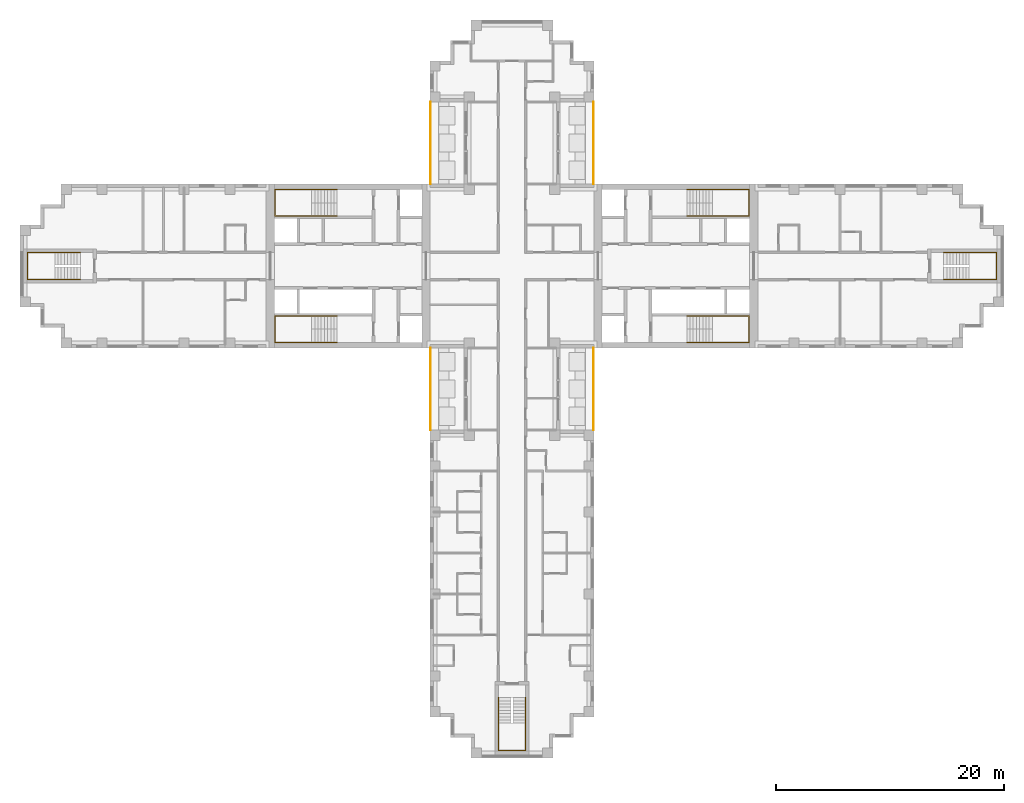
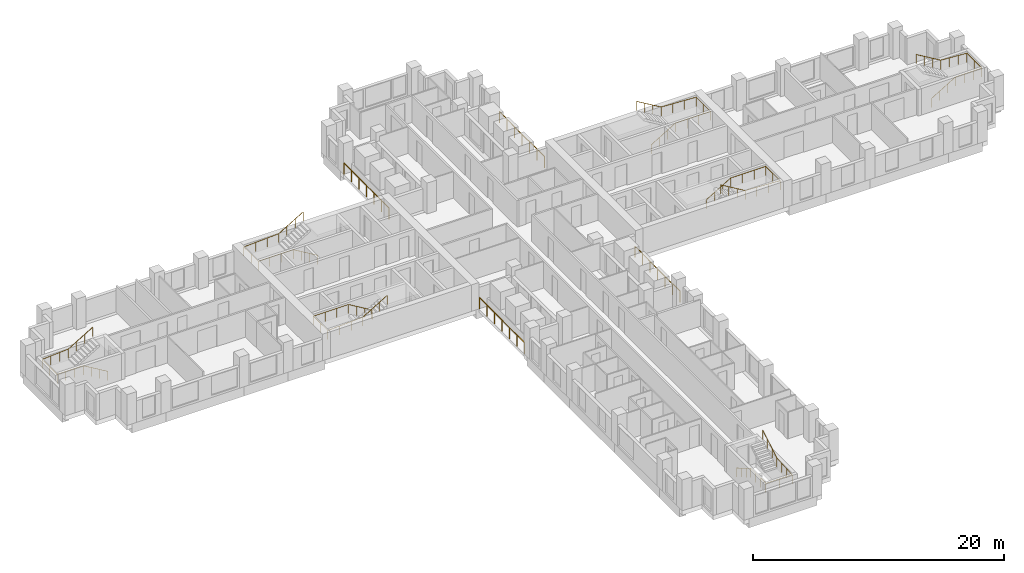
# One storey, part 12 of 13: 11 railings.
"""IFC4 building model written with IfcOpenShell, lengths in metres."""

from ifc_helpers import new_model, si_unit, direction, frame, origin, origin_2d, place, context, subcontext, project, spatial, circle, extrude, material, type_object, element, save


model = new_model("IFC4")

# Units and contexts
model_context = context("Model", 3, precision=1e-05, world=origin(), true_north=direction((0.0, 1.0)))
body_context = subcontext(model_context, "Body", "Model", "MODEL_VIEW")
ifc_project = project(units=[si_unit("LENGTHUNIT", "METRE"), si_unit("AREAUNIT", "SQUARE_METRE"), si_unit("VOLUMEUNIT", "CUBIC_METRE"), si_unit("PLANEANGLEUNIT", "RADIAN"), si_unit("MASSUNIT", "GRAM", prefix="KILO")], contexts=[model_context])

# Site, building, storey
site_placement = place(None, origin())
site = spatial("IfcSite", under=ifc_project, at=site_placement, CompositionType="ELEMENT")
building_placement = place(site_placement, origin())
building = spatial("IfcBuilding", under=site, at=building_placement, Name="Fustian Cross Tower", CompositionType="ELEMENT")
storey_placement = place(building_placement, frame((0.0, 0.0, 87.89990234375)))
storey = spatial("IfcBuildingStorey", under=building, at=storey_placement, Name="L27", CompositionType="ELEMENT", Elevation=87.89990234375)

# Railings
ifc_material_1 = material(Name="Stainless steel and glass", Category="steel")
railing_type_1 = type_object("IfcRailingType", Name="GR1 BALCONY GUARD 1100", PredefinedType="GUARDRAIL", material=ifc_material_1)
for number, where, name in (
    (1, (7.14990234375, 7.199951171875, 0.0), "Balcony guard"),
    (2, (-7.14990234375, 7.199951171875, 0.0), "Balcony guard"),
    (3, (7.14990234375, -14.39990234375, 0.0), "Balcony guard"),
    (4, (-7.14990234375, -14.39990234375, 0.0), "Balcony guard"),
):
    element("IfcRailing", number, at=place(storey_placement, frame(where)), inside=storey, type_object=railing_type_1, Name=name, PredefinedType="GUARDRAIL", context=body_context, shape_type="SweptSolid", body=[
        extrude(circle(Radius=0.02392578125, at=origin_2d()), frame((0.0, 0.0, 1.076171875), z_axis=(0.0, 1.0, 0.0), x_axis=(-1.0, 0.0, 0.0)), (0.0, 0.0, 1.0), 7.199951171875),
        extrude(circle(Radius=0.02099609375, at=origin_2d()), origin(), (0.0, 0.0, 1.0), 1.052001953125),
        extrude(circle(Radius=0.02099609375, at=origin_2d()), frame((0.0, 1.199951171875, 0.0)), (0.0, 0.0, 1.0), 1.052001953125),
        extrude(circle(Radius=0.02099609375, at=origin_2d()), frame((0.0, 2.39990234375, 0.0)), (0.0, 0.0, 1.0), 1.052001953125),
        extrude(circle(Radius=0.02099609375, at=origin_2d()), frame((0.0, 3.60009765625, 0.0)), (0.0, 0.0, 1.0), 1.052001953125),
        extrude(circle(Radius=0.02099609375, at=origin_2d()), frame((0.0, 4.800048828125, 0.0)), (0.0, 0.0, 1.0), 1.052001953125),
        extrude(circle(Radius=0.02099609375, at=origin_2d()), frame((0.0, 6.0, 0.0)), (0.0, 0.0, 1.0), 1.052001953125),
        extrude(circle(Radius=0.02099609375, at=origin_2d()), frame((0.0, 7.199951171875, 0.0)), (0.0, 0.0, 1.0), 1.052001953125),
    ])
ifc_material_2 = material(Name="Stainless steel", Category="steel")
railing_type_2 = type_object("IfcRailingType", Name="STAIR HANDRAIL", PredefinedType="HANDRAIL", material=ifc_material_2)
railing_1_placement = place(storey_placement, frame((15.35009765625, 4.39990234375, 0.166748046875)))
element("IfcRailing", 5, at=railing_1_placement, inside=storey, type_object=railing_type_2, Name="Stair ST1 handrail 1", PredefinedType="HANDRAIL", context=body_context, shape_type="SweptSolid", body=[
    extrude(circle(Radius=0.02490234375, at=origin_2d()), frame((0.0, 0.0, 0.875), z_axis=(0.859305625298, 0.0, 0.511462454469), x_axis=(0.0, 1.0, 0.0)), (0.0, 0.0, 1.0), 2.606689453125),
    extrude(circle(Radius=0.02490234375, at=origin_2d()), frame((2.239990234375, 0.0, 2.2080078125), z_axis=(1.0, 0.0, 0.0), x_axis=(0.0, 1.0, 0.0)), (0.0, 0.0, 1.0), 3.219970703125),
    extrude(circle(Radius=0.02490234375, at=origin_2d()), frame((5.4599609375, 0.0, 2.2080078125), z_axis=(0.0, 1.0, 0.0), x_axis=(-1.0, 0.0, 0.0)), (0.0, 0.0, 1.0), 2.300048828125),
    extrude(circle(Radius=0.02490234375, at=origin_2d()), frame((5.4599609375, 2.300048828125, 2.2080078125), z_axis=(-0.998661817807, 0.0, 0.051716280352), x_axis=(0.0, -1.0, 0.0)), (0.0, 0.0, 1.0), 3.224365234375),
    extrude(circle(Radius=0.02490234375, at=origin_2d()), frame((2.239990234375, 2.300048828125, 2.375), z_axis=(-0.859305625298, 0.0, 0.511462454469), x_axis=(0.0, -1.0, 0.0)), (0.0, 0.0, 1.0), 2.606689453125),
    extrude(circle(Radius=0.02001953125, at=origin_2d()), origin(), (0.0, 0.0, 1.0), 0.849853515625),
    extrude(circle(Radius=0.02001953125, at=origin_2d()), frame((0.74658203125, 0.0, 0.4443359375)), (0.0, 0.0, 1.0), 0.849853515625),
    extrude(circle(Radius=0.02001953125, at=origin_2d()), frame((1.493408203125, 0.0, 0.888916015625)), (0.0, 0.0, 1.0), 0.849853515625),
    extrude(circle(Radius=0.02001953125, at=origin_2d()), frame((2.239990234375, 0.0, 1.333251953125)), (0.0, 0.0, 1.0), 0.849853515625),
    extrude(circle(Radius=0.02001953125, at=origin_2d()), frame((3.313232421875, 0.0, 1.333251953125)), (0.0, 0.0, 1.0), 0.849853515625),
    extrude(circle(Radius=0.02001953125, at=origin_2d()), frame((4.38671875, 0.0, 1.333251953125)), (0.0, 0.0, 1.0), 0.849853515625),
    extrude(circle(Radius=0.02001953125, at=origin_2d()), frame((5.4599609375, 0.0, 1.333251953125)), (0.0, 0.0, 1.0), 0.849853515625),
    extrude(circle(Radius=0.02001953125, at=origin_2d()), frame((5.4599609375, 1.14990234375, 1.333251953125)), (0.0, 0.0, 1.0), 0.849853515625),
    extrude(circle(Radius=0.02001953125, at=origin_2d()), frame((5.4599609375, 2.300048828125, 1.333251953125)), (0.0, 0.0, 1.0), 0.849853515625),
    extrude(circle(Radius=0.02001953125, at=origin_2d()), frame((4.38671875, 2.300048828125, 1.388916015625)), (0.0, 0.0, 1.0), 0.849853515625),
    extrude(circle(Radius=0.02001953125, at=origin_2d()), frame((3.313232421875, 2.300048828125, 1.4443359375)), (0.0, 0.0, 1.0), 0.849853515625),
    extrude(circle(Radius=0.02001953125, at=origin_2d()), frame((2.239990234375, 2.300048828125, 1.5)), (0.0, 0.0, 1.0), 0.849853515625),
    extrude(circle(Radius=0.02001953125, at=origin_2d()), frame((1.493408203125, 2.300048828125, 1.9443359375)), (0.0, 0.0, 1.0), 0.849853515625),
    extrude(circle(Radius=0.02001953125, at=origin_2d()), frame((0.74658203125, 2.300048828125, 2.388916015625)), (0.0, 0.0, 1.0), 0.849853515625),
    extrude(circle(Radius=0.02001953125, at=origin_2d()), frame((0.0, 2.300048828125, 2.833251953125)), (0.0, 0.0, 1.0), 0.849853515625),
])
railing_2_placement = place(storey_placement, frame((15.35009765625, -4.39990234375, 0.166748046875)))
element("IfcRailing", 6, at=railing_2_placement, inside=storey, type_object=railing_type_2, Name="Stair ST2 handrail 1", PredefinedType="HANDRAIL", context=body_context, shape_type="SweptSolid", body=[
    extrude(circle(Radius=0.02490234375, at=origin_2d()), frame((0.0, 0.0, 0.875), z_axis=(0.859305625298, 0.0, 0.511462454469), x_axis=(0.0, 1.0, 0.0)), (0.0, 0.0, 1.0), 2.606689453125),
    extrude(circle(Radius=0.02490234375, at=origin_2d()), frame((2.239990234375, 0.0, 2.2080078125), z_axis=(1.0, 0.0, 0.0), x_axis=(0.0, 1.0, 0.0)), (0.0, 0.0, 1.0), 3.219970703125),
    extrude(circle(Radius=0.02490234375, at=origin_2d()), frame((5.4599609375, 0.0, 2.2080078125), z_axis=(0.0, -1.0, 0.0), x_axis=(1.0, 0.0, 0.0)), (0.0, 0.0, 1.0), 2.300048828125),
    extrude(circle(Radius=0.02490234375, at=origin_2d()), frame((5.4599609375, -2.300048828125, 2.2080078125), z_axis=(-0.998661817807, 0.0, 0.051716280352), x_axis=(0.0, -1.0, 0.0)), (0.0, 0.0, 1.0), 3.224365234375),
    extrude(circle(Radius=0.02490234375, at=origin_2d()), frame((2.239990234375, -2.300048828125, 2.375), z_axis=(-0.859305625298, 0.0, 0.511462454469), x_axis=(0.0, -1.0, 0.0)), (0.0, 0.0, 1.0), 2.606689453125),
    extrude(circle(Radius=0.02001953125, at=origin_2d()), origin(), (0.0, 0.0, 1.0), 0.849853515625),
    extrude(circle(Radius=0.02001953125, at=origin_2d()), frame((0.74658203125, 0.0, 0.4443359375)), (0.0, 0.0, 1.0), 0.849853515625),
    extrude(circle(Radius=0.02001953125, at=origin_2d()), frame((1.493408203125, 0.0, 0.888916015625)), (0.0, 0.0, 1.0), 0.849853515625),
    extrude(circle(Radius=0.02001953125, at=origin_2d()), frame((2.239990234375, 0.0, 1.333251953125)), (0.0, 0.0, 1.0), 0.849853515625),
    extrude(circle(Radius=0.02001953125, at=origin_2d()), frame((3.313232421875, 0.0, 1.333251953125)), (0.0, 0.0, 1.0), 0.849853515625),
    extrude(circle(Radius=0.02001953125, at=origin_2d()), frame((4.38671875, 0.0, 1.333251953125)), (0.0, 0.0, 1.0), 0.849853515625),
    extrude(circle(Radius=0.02001953125, at=origin_2d()), frame((5.4599609375, 0.0, 1.333251953125)), (0.0, 0.0, 1.0), 0.849853515625),
    extrude(circle(Radius=0.02001953125, at=origin_2d()), frame((5.4599609375, -1.14990234375, 1.333251953125)), (0.0, 0.0, 1.0), 0.849853515625),
    extrude(circle(Radius=0.02001953125, at=origin_2d()), frame((5.4599609375, -2.300048828125, 1.333251953125)), (0.0, 0.0, 1.0), 0.849853515625),
    extrude(circle(Radius=0.02001953125, at=origin_2d()), frame((4.38671875, -2.300048828125, 1.388916015625)), (0.0, 0.0, 1.0), 0.849853515625),
    extrude(circle(Radius=0.02001953125, at=origin_2d()), frame((3.313232421875, -2.300048828125, 1.4443359375)), (0.0, 0.0, 1.0), 0.849853515625),
    extrude(circle(Radius=0.02001953125, at=origin_2d()), frame((2.239990234375, -2.300048828125, 1.5)), (0.0, 0.0, 1.0), 0.849853515625),
    extrude(circle(Radius=0.02001953125, at=origin_2d()), frame((1.493408203125, -2.300048828125, 1.9443359375)), (0.0, 0.0, 1.0), 0.849853515625),
    extrude(circle(Radius=0.02001953125, at=origin_2d()), frame((0.74658203125, -2.300048828125, 2.388916015625)), (0.0, 0.0, 1.0), 0.849853515625),
    extrude(circle(Radius=0.02001953125, at=origin_2d()), frame((0.0, -2.300048828125, 2.833251953125)), (0.0, 0.0, 1.0), 0.849853515625),
])
railing_3_placement = place(storey_placement, frame((-15.35009765625, 4.39990234375, 0.166748046875)))
element("IfcRailing", 7, at=railing_3_placement, inside=storey, type_object=railing_type_2, Name="Stair ST3 handrail 1", PredefinedType="HANDRAIL", context=body_context, shape_type="SweptSolid", body=[
    extrude(circle(Radius=0.02490234375, at=origin_2d()), frame((0.0, 0.0, 0.875), z_axis=(-0.859305625298, 0.0, 0.511462454469), x_axis=(0.0, -1.0, 0.0)), (0.0, 0.0, 1.0), 2.606689453125),
    extrude(circle(Radius=0.02490234375, at=origin_2d()), frame((-2.239990234375, 0.0, 2.2080078125), z_axis=(-1.0, 0.0, 0.0), x_axis=(0.0, -1.0, 0.0)), (0.0, 0.0, 1.0), 3.219970703125),
    extrude(circle(Radius=0.02490234375, at=origin_2d()), frame((-5.4599609375, 0.0, 2.2080078125), z_axis=(0.0, 1.0, 0.0), x_axis=(-1.0, 0.0, 0.0)), (0.0, 0.0, 1.0), 2.300048828125),
    extrude(circle(Radius=0.02490234375, at=origin_2d()), frame((-5.4599609375, 2.300048828125, 2.2080078125), z_axis=(0.998661817807, 0.0, 0.051716280352), x_axis=(0.0, 1.0, 0.0)), (0.0, 0.0, 1.0), 3.224365234375),
    extrude(circle(Radius=0.02490234375, at=origin_2d()), frame((-2.239990234375, 2.300048828125, 2.375), z_axis=(0.859305625298, 0.0, 0.511462454469), x_axis=(0.0, 1.0, 0.0)), (0.0, 0.0, 1.0), 2.606689453125),
    extrude(circle(Radius=0.02001953125, at=origin_2d()), origin(), (0.0, 0.0, 1.0), 0.849853515625),
    extrude(circle(Radius=0.02001953125, at=origin_2d()), frame((-0.74658203125, 0.0, 0.4443359375)), (0.0, 0.0, 1.0), 0.849853515625),
    extrude(circle(Radius=0.02001953125, at=origin_2d()), frame((-1.493408203125, 0.0, 0.888916015625)), (0.0, 0.0, 1.0), 0.849853515625),
    extrude(circle(Radius=0.02001953125, at=origin_2d()), frame((-2.239990234375, 0.0, 1.333251953125)), (0.0, 0.0, 1.0), 0.849853515625),
    extrude(circle(Radius=0.02001953125, at=origin_2d()), frame((-3.313232421875, 0.0, 1.333251953125)), (0.0, 0.0, 1.0), 0.849853515625),
    extrude(circle(Radius=0.02001953125, at=origin_2d()), frame((-4.38671875, 0.0, 1.333251953125)), (0.0, 0.0, 1.0), 0.849853515625),
    extrude(circle(Radius=0.02001953125, at=origin_2d()), frame((-5.4599609375, 0.0, 1.333251953125)), (0.0, 0.0, 1.0), 0.849853515625),
    extrude(circle(Radius=0.02001953125, at=origin_2d()), frame((-5.4599609375, 1.14990234375, 1.333251953125)), (0.0, 0.0, 1.0), 0.849853515625),
    extrude(circle(Radius=0.02001953125, at=origin_2d()), frame((-5.4599609375, 2.300048828125, 1.333251953125)), (0.0, 0.0, 1.0), 0.849853515625),
    extrude(circle(Radius=0.02001953125, at=origin_2d()), frame((-4.38671875, 2.300048828125, 1.388916015625)), (0.0, 0.0, 1.0), 0.849853515625),
    extrude(circle(Radius=0.02001953125, at=origin_2d()), frame((-3.313232421875, 2.300048828125, 1.4443359375)), (0.0, 0.0, 1.0), 0.849853515625),
    extrude(circle(Radius=0.02001953125, at=origin_2d()), frame((-2.239990234375, 2.300048828125, 1.5)), (0.0, 0.0, 1.0), 0.849853515625),
    extrude(circle(Radius=0.02001953125, at=origin_2d()), frame((-1.493408203125, 2.300048828125, 1.9443359375)), (0.0, 0.0, 1.0), 0.849853515625),
    extrude(circle(Radius=0.02001953125, at=origin_2d()), frame((-0.74658203125, 2.300048828125, 2.388916015625)), (0.0, 0.0, 1.0), 0.849853515625),
    extrude(circle(Radius=0.02001953125, at=origin_2d()), frame((0.0, 2.300048828125, 2.833251953125)), (0.0, 0.0, 1.0), 0.849853515625),
])
railing_4_placement = place(storey_placement, frame((-15.35009765625, -4.39990234375, 0.166748046875)))
element("IfcRailing", 8, at=railing_4_placement, inside=storey, type_object=railing_type_2, Name="Stair ST4 handrail 1", PredefinedType="HANDRAIL", context=body_context, shape_type="SweptSolid", body=[
    extrude(circle(Radius=0.02490234375, at=origin_2d()), frame((0.0, 0.0, 0.875), z_axis=(-0.859305625298, 0.0, 0.511462454469), x_axis=(0.0, -1.0, 0.0)), (0.0, 0.0, 1.0), 2.606689453125),
    extrude(circle(Radius=0.02490234375, at=origin_2d()), frame((-2.239990234375, 0.0, 2.2080078125), z_axis=(-1.0, 0.0, 0.0), x_axis=(0.0, -1.0, 0.0)), (0.0, 0.0, 1.0), 3.219970703125),
    extrude(circle(Radius=0.02490234375, at=origin_2d()), frame((-5.4599609375, 0.0, 2.2080078125), z_axis=(0.0, -1.0, 0.0), x_axis=(1.0, 0.0, 0.0)), (0.0, 0.0, 1.0), 2.300048828125),
    extrude(circle(Radius=0.02490234375, at=origin_2d()), frame((-5.4599609375, -2.300048828125, 2.2080078125), z_axis=(0.998661817807, 0.0, 0.051716280352), x_axis=(0.0, 1.0, 0.0)), (0.0, 0.0, 1.0), 3.224365234375),
    extrude(circle(Radius=0.02490234375, at=origin_2d()), frame((-2.239990234375, -2.300048828125, 2.375), z_axis=(0.859305625298, 0.0, 0.511462454469), x_axis=(0.0, 1.0, 0.0)), (0.0, 0.0, 1.0), 2.606689453125),
    extrude(circle(Radius=0.02001953125, at=origin_2d()), origin(), (0.0, 0.0, 1.0), 0.849853515625),
    extrude(circle(Radius=0.02001953125, at=origin_2d()), frame((-0.74658203125, 0.0, 0.4443359375)), (0.0, 0.0, 1.0), 0.849853515625),
    extrude(circle(Radius=0.02001953125, at=origin_2d()), frame((-1.493408203125, 0.0, 0.888916015625)), (0.0, 0.0, 1.0), 0.849853515625),
    extrude(circle(Radius=0.02001953125, at=origin_2d()), frame((-2.239990234375, 0.0, 1.333251953125)), (0.0, 0.0, 1.0), 0.849853515625),
    extrude(circle(Radius=0.02001953125, at=origin_2d()), frame((-3.313232421875, 0.0, 1.333251953125)), (0.0, 0.0, 1.0), 0.849853515625),
    extrude(circle(Radius=0.02001953125, at=origin_2d()), frame((-4.38671875, 0.0, 1.333251953125)), (0.0, 0.0, 1.0), 0.849853515625),
    extrude(circle(Radius=0.02001953125, at=origin_2d()), frame((-5.4599609375, 0.0, 1.333251953125)), (0.0, 0.0, 1.0), 0.849853515625),
    extrude(circle(Radius=0.02001953125, at=origin_2d()), frame((-5.4599609375, -1.14990234375, 1.333251953125)), (0.0, 0.0, 1.0), 0.849853515625),
    extrude(circle(Radius=0.02001953125, at=origin_2d()), frame((-5.4599609375, -2.300048828125, 1.333251953125)), (0.0, 0.0, 1.0), 0.849853515625),
    extrude(circle(Radius=0.02001953125, at=origin_2d()), frame((-4.38671875, -2.300048828125, 1.388916015625)), (0.0, 0.0, 1.0), 0.849853515625),
    extrude(circle(Radius=0.02001953125, at=origin_2d()), frame((-3.313232421875, -2.300048828125, 1.4443359375)), (0.0, 0.0, 1.0), 0.849853515625),
    extrude(circle(Radius=0.02001953125, at=origin_2d()), frame((-2.239990234375, -2.300048828125, 1.5)), (0.0, 0.0, 1.0), 0.849853515625),
    extrude(circle(Radius=0.02001953125, at=origin_2d()), frame((-1.493408203125, -2.300048828125, 1.9443359375)), (0.0, 0.0, 1.0), 0.849853515625),
    extrude(circle(Radius=0.02001953125, at=origin_2d()), frame((-0.74658203125, -2.300048828125, 2.388916015625)), (0.0, 0.0, 1.0), 0.849853515625),
    extrude(circle(Radius=0.02001953125, at=origin_2d()), frame((0.0, -2.300048828125, 2.833251953125)), (0.0, 0.0, 1.0), 0.849853515625),
])
railing_5_placement = place(storey_placement, frame((-1.199951171875, -37.89990234375, 0.166748046875)))
element("IfcRailing", 9, at=railing_5_placement, inside=storey, type_object=railing_type_2, Name="Stair ST6 handrail 1", PredefinedType="HANDRAIL", context=body_context, shape_type="SweptSolid", body=[
    extrude(circle(Radius=0.02490234375, at=origin_2d()), frame((0.0, 0.0, 0.875), z_axis=(0.0, -0.859305625298, 0.511462454469), x_axis=(1.0, 0.0, 0.0)), (0.0, 0.0, 1.0), 2.606689453125),
    extrude(circle(Radius=0.02490234375, at=origin_2d()), frame((0.0, -2.239990234375, 2.2080078125), z_axis=(0.0, -1.0, 0.0), x_axis=(1.0, 0.0, 0.0)), (0.0, 0.0, 1.0), 2.420166015625),
    extrude(circle(Radius=0.02490234375, at=origin_2d()), frame((0.0, -4.66015625, 2.2080078125), z_axis=(1.0, 0.0, 0.0), x_axis=(0.0, 1.0, 0.0)), (0.0, 0.0, 1.0), 2.39990234375),
    extrude(circle(Radius=0.02490234375, at=origin_2d()), frame((2.39990234375, -4.66015625, 2.2080078125), z_axis=(0.0, 0.997634852044, 0.068736467663), x_axis=(-1.0, 0.0, 0.0)), (0.0, 0.0, 1.0), 2.426025390625),
    extrude(circle(Radius=0.02490234375, at=origin_2d()), frame((2.39990234375, -2.239990234375, 2.375), z_axis=(0.0, 0.859305625298, 0.511462454469), x_axis=(-1.0, 0.0, 0.0)), (0.0, 0.0, 1.0), 2.606689453125),
    extrude(circle(Radius=0.02001953125, at=origin_2d()), origin(), (0.0, 0.0, 1.0), 0.849853515625),
    extrude(circle(Radius=0.02001953125, at=origin_2d()), frame((0.0, -0.74658203125, 0.4443359375)), (0.0, 0.0, 1.0), 0.849853515625),
    extrude(circle(Radius=0.02001953125, at=origin_2d()), frame((0.0, -1.493408203125, 0.888916015625)), (0.0, 0.0, 1.0), 0.849853515625),
    extrude(circle(Radius=0.02001953125, at=origin_2d()), frame((0.0, -2.239990234375, 1.333251953125)), (0.0, 0.0, 1.0), 0.849853515625),
    extrude(circle(Radius=0.02001953125, at=origin_2d()), frame((0.0, -3.046630859375, 1.333251953125)), (0.0, 0.0, 1.0), 0.849853515625),
    extrude(circle(Radius=0.02001953125, at=origin_2d()), frame((0.0, -3.853515625, 1.333251953125)), (0.0, 0.0, 1.0), 0.849853515625),
    extrude(circle(Radius=0.02001953125, at=origin_2d()), frame((0.0, -4.66015625, 1.333251953125)), (0.0, 0.0, 1.0), 0.849853515625),
    extrude(circle(Radius=0.02001953125, at=origin_2d()), frame((1.199951171875, -4.66015625, 1.333251953125)), (0.0, 0.0, 1.0), 0.849853515625),
    extrude(circle(Radius=0.02001953125, at=origin_2d()), frame((2.39990234375, -4.66015625, 1.333251953125)), (0.0, 0.0, 1.0), 0.849853515625),
    extrude(circle(Radius=0.02001953125, at=origin_2d()), frame((2.39990234375, -3.853515625, 1.388916015625)), (0.0, 0.0, 1.0), 0.849853515625),
    extrude(circle(Radius=0.02001953125, at=origin_2d()), frame((2.39990234375, -3.046630859375, 1.4443359375)), (0.0, 0.0, 1.0), 0.849853515625),
    extrude(circle(Radius=0.02001953125, at=origin_2d()), frame((2.39990234375, -2.239990234375, 1.5)), (0.0, 0.0, 1.0), 0.849853515625),
    extrude(circle(Radius=0.02001953125, at=origin_2d()), frame((2.39990234375, -1.493408203125, 1.9443359375)), (0.0, 0.0, 1.0), 0.849853515625),
    extrude(circle(Radius=0.02001953125, at=origin_2d()), frame((2.39990234375, -0.74658203125, 2.388916015625)), (0.0, 0.0, 1.0), 0.849853515625),
    extrude(circle(Radius=0.02001953125, at=origin_2d()), frame((2.39990234375, 0.0, 2.833251953125)), (0.0, 0.0, 1.0), 0.849853515625),
])
railing_6_placement = place(storey_placement, frame((37.89990234375, -1.199951171875, 0.166748046875)))
element("IfcRailing", 10, at=railing_6_placement, inside=storey, type_object=railing_type_2, Name="Stair ST8 handrail 1", PredefinedType="HANDRAIL", context=body_context, shape_type="SweptSolid", body=[
    extrude(circle(Radius=0.02490234375, at=origin_2d()), frame((0.0, 0.0, 0.875), z_axis=(0.859305625298, 0.0, 0.511462454469), x_axis=(0.0, 1.0, 0.0)), (0.0, 0.0, 1.0), 2.606689453125),
    extrude(circle(Radius=0.02490234375, at=origin_2d()), frame((2.239990234375, 0.0, 2.2080078125), z_axis=(1.0, 0.0, 0.0), x_axis=(0.0, 1.0, 0.0)), (0.0, 0.0, 1.0), 2.420166015625),
    extrude(circle(Radius=0.02490234375, at=origin_2d()), frame((4.66015625, 0.0, 2.2080078125), z_axis=(0.0, 1.0, 0.0), x_axis=(-1.0, 0.0, 0.0)), (0.0, 0.0, 1.0), 2.39990234375),
    extrude(circle(Radius=0.02490234375, at=origin_2d()), frame((4.66015625, 2.39990234375, 2.2080078125), z_axis=(-0.997634852044, 0.0, 0.068736467663), x_axis=(0.0, -1.0, 0.0)), (0.0, 0.0, 1.0), 2.426025390625),
    extrude(circle(Radius=0.02490234375, at=origin_2d()), frame((2.239990234375, 2.39990234375, 2.375), z_axis=(-0.859305625298, 0.0, 0.511462454469), x_axis=(0.0, -1.0, 0.0)), (0.0, 0.0, 1.0), 2.606689453125),
    extrude(circle(Radius=0.02001953125, at=origin_2d()), origin(), (0.0, 0.0, 1.0), 0.849853515625),
    extrude(circle(Radius=0.02001953125, at=origin_2d()), frame((0.74658203125, 0.0, 0.4443359375)), (0.0, 0.0, 1.0), 0.849853515625),
    extrude(circle(Radius=0.02001953125, at=origin_2d()), frame((1.493408203125, 0.0, 0.888916015625)), (0.0, 0.0, 1.0), 0.849853515625),
    extrude(circle(Radius=0.02001953125, at=origin_2d()), frame((2.239990234375, 0.0, 1.333251953125)), (0.0, 0.0, 1.0), 0.849853515625),
    extrude(circle(Radius=0.02001953125, at=origin_2d()), frame((3.046630859375, 0.0, 1.333251953125)), (0.0, 0.0, 1.0), 0.849853515625),
    extrude(circle(Radius=0.02001953125, at=origin_2d()), frame((3.853515625, 0.0, 1.333251953125)), (0.0, 0.0, 1.0), 0.849853515625),
    extrude(circle(Radius=0.02001953125, at=origin_2d()), frame((4.66015625, 0.0, 1.333251953125)), (0.0, 0.0, 1.0), 0.849853515625),
    extrude(circle(Radius=0.02001953125, at=origin_2d()), frame((4.66015625, 1.199951171875, 1.333251953125)), (0.0, 0.0, 1.0), 0.849853515625),
    extrude(circle(Radius=0.02001953125, at=origin_2d()), frame((4.66015625, 2.39990234375, 1.333251953125)), (0.0, 0.0, 1.0), 0.849853515625),
    extrude(circle(Radius=0.02001953125, at=origin_2d()), frame((3.853515625, 2.39990234375, 1.388916015625)), (0.0, 0.0, 1.0), 0.849853515625),
    extrude(circle(Radius=0.02001953125, at=origin_2d()), frame((3.046630859375, 2.39990234375, 1.4443359375)), (0.0, 0.0, 1.0), 0.849853515625),
    extrude(circle(Radius=0.02001953125, at=origin_2d()), frame((2.239990234375, 2.39990234375, 1.5)), (0.0, 0.0, 1.0), 0.849853515625),
    extrude(circle(Radius=0.02001953125, at=origin_2d()), frame((1.493408203125, 2.39990234375, 1.9443359375)), (0.0, 0.0, 1.0), 0.849853515625),
    extrude(circle(Radius=0.02001953125, at=origin_2d()), frame((0.74658203125, 2.39990234375, 2.388916015625)), (0.0, 0.0, 1.0), 0.849853515625),
    extrude(circle(Radius=0.02001953125, at=origin_2d()), frame((0.0, 2.39990234375, 2.833251953125)), (0.0, 0.0, 1.0), 0.849853515625),
])
railing_7_placement = place(storey_placement, frame((-37.89990234375, -1.199951171875, 0.166748046875)))
element("IfcRailing", 11, at=railing_7_placement, inside=storey, type_object=railing_type_2, Name="Stair ST9 handrail 1", PredefinedType="HANDRAIL", context=body_context, shape_type="SweptSolid", body=[
    extrude(circle(Radius=0.02490234375, at=origin_2d()), frame((0.0, 0.0, 0.875), z_axis=(-0.859305625298, 0.0, 0.511462454469), x_axis=(0.0, -1.0, 0.0)), (0.0, 0.0, 1.0), 2.606689453125),
    extrude(circle(Radius=0.02490234375, at=origin_2d()), frame((-2.239990234375, 0.0, 2.2080078125), z_axis=(-1.0, 0.0, 0.0), x_axis=(0.0, -1.0, 0.0)), (0.0, 0.0, 1.0), 2.420166015625),
    extrude(circle(Radius=0.02490234375, at=origin_2d()), frame((-4.66015625, 0.0, 2.2080078125), z_axis=(0.0, 1.0, 0.0), x_axis=(-1.0, 0.0, 0.0)), (0.0, 0.0, 1.0), 2.39990234375),
    extrude(circle(Radius=0.02490234375, at=origin_2d()), frame((-4.66015625, 2.39990234375, 2.2080078125), z_axis=(0.997634852044, 0.0, 0.068736467663), x_axis=(0.0, 1.0, 0.0)), (0.0, 0.0, 1.0), 2.426025390625),
    extrude(circle(Radius=0.02490234375, at=origin_2d()), frame((-2.239990234375, 2.39990234375, 2.375), z_axis=(0.859305625298, 0.0, 0.511462454469), x_axis=(0.0, 1.0, 0.0)), (0.0, 0.0, 1.0), 2.606689453125),
    extrude(circle(Radius=0.02001953125, at=origin_2d()), origin(), (0.0, 0.0, 1.0), 0.849853515625),
    extrude(circle(Radius=0.02001953125, at=origin_2d()), frame((-0.74658203125, 0.0, 0.4443359375)), (0.0, 0.0, 1.0), 0.849853515625),
    extrude(circle(Radius=0.02001953125, at=origin_2d()), frame((-1.493408203125, 0.0, 0.888916015625)), (0.0, 0.0, 1.0), 0.849853515625),
    extrude(circle(Radius=0.02001953125, at=origin_2d()), frame((-2.239990234375, 0.0, 1.333251953125)), (0.0, 0.0, 1.0), 0.849853515625),
    extrude(circle(Radius=0.02001953125, at=origin_2d()), frame((-3.046630859375, 0.0, 1.333251953125)), (0.0, 0.0, 1.0), 0.849853515625),
    extrude(circle(Radius=0.02001953125, at=origin_2d()), frame((-3.853515625, 0.0, 1.333251953125)), (0.0, 0.0, 1.0), 0.849853515625),
    extrude(circle(Radius=0.02001953125, at=origin_2d()), frame((-4.66015625, 0.0, 1.333251953125)), (0.0, 0.0, 1.0), 0.849853515625),
    extrude(circle(Radius=0.02001953125, at=origin_2d()), frame((-4.66015625, 1.199951171875, 1.333251953125)), (0.0, 0.0, 1.0), 0.849853515625),
    extrude(circle(Radius=0.02001953125, at=origin_2d()), frame((-4.66015625, 2.39990234375, 1.333251953125)), (0.0, 0.0, 1.0), 0.849853515625),
    extrude(circle(Radius=0.02001953125, at=origin_2d()), frame((-3.853515625, 2.39990234375, 1.388916015625)), (0.0, 0.0, 1.0), 0.849853515625),
    extrude(circle(Radius=0.02001953125, at=origin_2d()), frame((-3.046630859375, 2.39990234375, 1.4443359375)), (0.0, 0.0, 1.0), 0.849853515625),
    extrude(circle(Radius=0.02001953125, at=origin_2d()), frame((-2.239990234375, 2.39990234375, 1.5)), (0.0, 0.0, 1.0), 0.849853515625),
    extrude(circle(Radius=0.02001953125, at=origin_2d()), frame((-1.493408203125, 2.39990234375, 1.9443359375)), (0.0, 0.0, 1.0), 0.849853515625),
    extrude(circle(Radius=0.02001953125, at=origin_2d()), frame((-0.74658203125, 2.39990234375, 2.388916015625)), (0.0, 0.0, 1.0), 0.849853515625),
    extrude(circle(Radius=0.02001953125, at=origin_2d()), frame((0.0, 2.39990234375, 2.833251953125)), (0.0, 0.0, 1.0), 0.849853515625),
])

save(model, "model.ifc")
